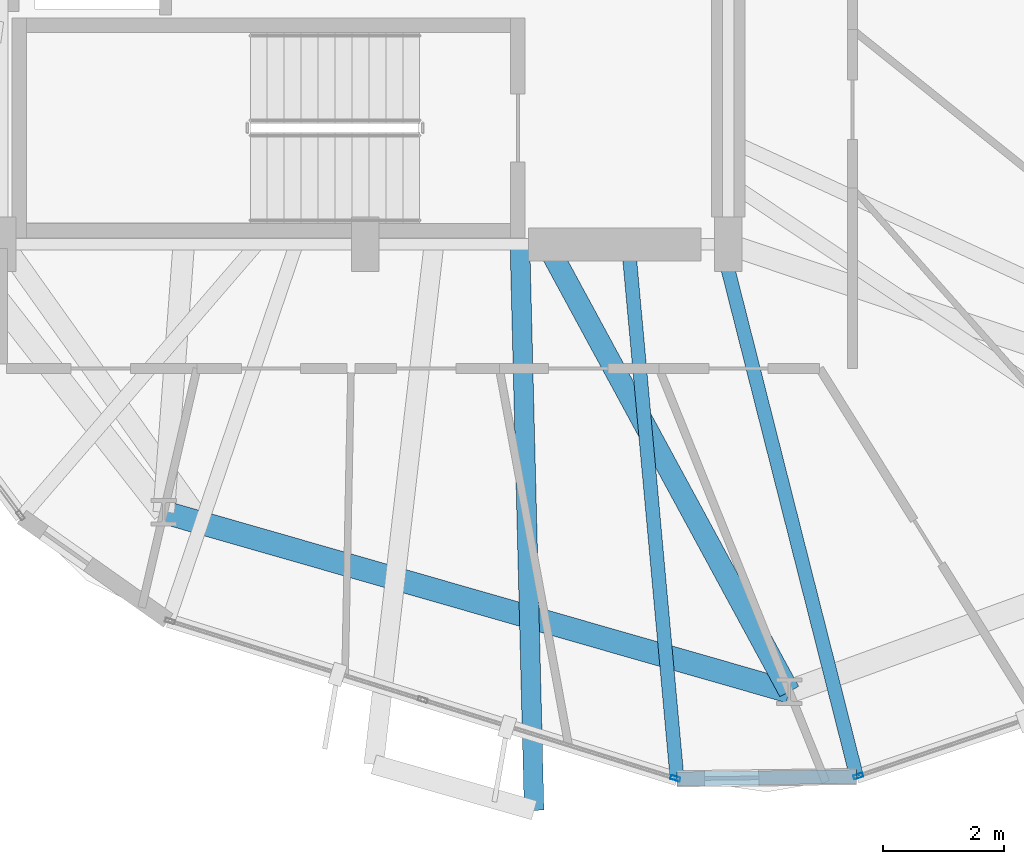
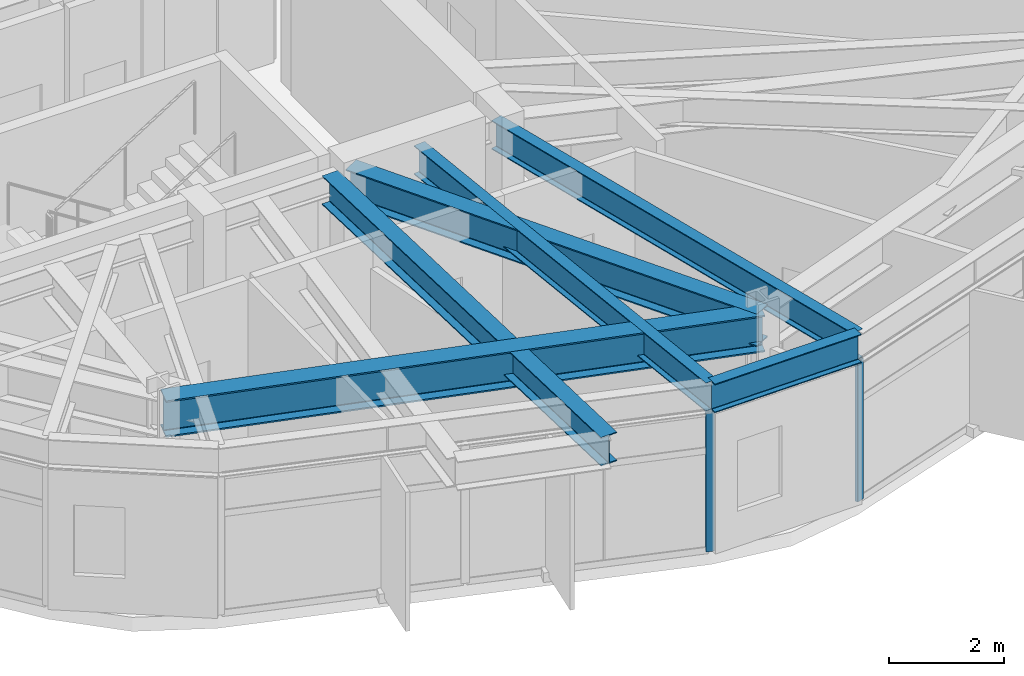
# One storey, part 6 of 25: 6 beams, 2 members, 2 elements without a shape of their own.
"""IFC4 building model written with IfcOpenShell, lengths in metres."""

from ifc_helpers import new_model, si_unit, direction, frame, origin, origin_2d, place, context, subcontext, project, spatial, hollow_rectangle, i_section, extrude, material, layer, layer_set, material_profile, profile_set, type_object, element, aggregate, save


model = new_model("IFC4")

# Units and contexts
model_context = context("Model", 3, precision=1e-05, world=origin(), true_north=direction((0.0, 1.0)))
body_context = subcontext(model_context, "Body", "Model", "MODEL_VIEW")
ifc_project = project(units=[si_unit("LENGTHUNIT", "METRE"), si_unit("AREAUNIT", "SQUARE_METRE"), si_unit("VOLUMEUNIT", "CUBIC_METRE"), si_unit("PLANEANGLEUNIT", "RADIAN"), si_unit("MASSUNIT", "GRAM", prefix="KILO")], contexts=[model_context])

# Site, building, storey
site_placement = place(None, origin())
site = spatial("IfcSite", under=ifc_project, at=site_placement, CompositionType="ELEMENT")
building_placement = place(site_placement, origin())
building = spatial("IfcBuilding", under=site, at=building_placement, Name="Soratama Intermodal Tower", CompositionType="ELEMENT")
storey_placement = place(building_placement, frame((0.0, 0.0, 106.89990234375)))
storey = spatial("IfcBuildingStorey", under=building, at=storey_placement, Name="L25", CompositionType="ELEMENT", Elevation=106.89990234375)

# Beams
ifc_material_1 = material(Name="Structural steel ASTM A992 Grade 50", Category="steel")
ifc_material_profile_1 = material_profile(ifc_material_1, i_section(OverallWidth=0.324951171875, OverallDepth=0.615966796875, WebThickness=0.013916015625, FlangeThickness=0.021484375, FilletRadius=0.013916015625, at=origin_2d()), Name="W24X117")
ifc_profile_set_1 = profile_set([ifc_material_profile_1], Name="Structural steel ASTM A992 Grade 50")
beam_type_1 = type_object("IfcBeamType", Name="BM-CANT-W24X117", PredefinedType="BEAM", material=ifc_profile_set_1)
beam_1_placement = place(storey_placement, frame((41.156982421875, 14.9599609375, 3.2919921875), z_axis=(0.025003978121, -0.999687351665, 0.0), x_axis=(0.999687351665, 0.025003978121, 0.0)))
element("IfcBeam", 1, at=beam_1_placement, inside=storey, type_object=beam_type_1, Name="BM-L25-CANT-3-2", PredefinedType="BEAM", context=body_context, shape_type="SweptSolid", body=[
    extrude(i_section(OverallWidth=0.324951171875, OverallDepth=0.615966796875, WebThickness=0.013916015625, FlangeThickness=0.021484375, FilletRadius=0.013916015625, at=origin_2d()), origin(), (0.0, 0.0, 1.0), 9.31494140625),
])
ifc_material_2 = material(Name="Structural steel ASTM A992 Grade 50", Category="steel")
ifc_material_profile_2 = material_profile(ifc_material_2, i_section(OverallWidth=0.35498046875, OverallDepth=0.695068359375, WebThickness=0.015380859375, FlangeThickness=0.02490234375, FilletRadius=0.01611328125, at=origin_2d()), Name="W27X146")
ifc_profile_set_2 = profile_set([ifc_material_profile_2], Name="Structural steel ASTM A992 Grade 50")
beam_type_2 = type_object("IfcBeamType", Name="BM-RING-W27X146", PredefinedType="BEAM", material=ifc_profile_set_2)
beam_2_placement = place(storey_placement, frame((41.60009765625, 15.0, 3.252685546875), z_axis=(0.476697610532, -0.879067339919, 0.0), x_axis=(0.879067339919, 0.476697610532, 0.0)))
element("IfcBeam", 2, at=beam_2_placement, inside=storey, type_object=beam_type_2, Name="BM-L25-RAD-08", PredefinedType="BEAM", context=body_context, shape_type="SweptSolid", body=[
    extrude(i_section(OverallWidth=0.35498046875, OverallDepth=0.695068359375, WebThickness=0.015380859375, FlangeThickness=0.02490234375, FilletRadius=0.01611328125, at=origin_2d()), origin(), (0.0, 0.0, 1.0), 8.405517578125),
])
ifc_material_3 = material(Name="Structural steel ASTM A992 Grade 50", Category="steel")
ifc_material_profile_3 = material_profile(ifc_material_3, i_section(OverallWidth=0.382080078125, OverallDepth=0.779052734375, WebThickness=0.01806640625, FlangeThickness=0.030029296875, FilletRadius=0.01806640625, at=origin_2d()), Name="W30X191")
ifc_profile_set_3 = profile_set([ifc_material_profile_3], Name="Structural steel ASTM A992 Grade 50")
beam_type_3 = type_object("IfcBeamType", Name="BM-RING-W30X191", PredefinedType="BEAM", material=ifc_profile_set_3)
beam_3_placement = place(storey_placement, frame((35.27001953125, 10.574951171875, 3.210693359375), z_axis=(0.961266505995, -0.275620580604, 0.0), x_axis=(0.275620580604, 0.961266505995, 0.0)))
element("IfcBeam", 3, at=beam_3_placement, inside=storey, type_object=beam_type_3, Name="BM-L25-RING-07", PredefinedType="BEAM", context=body_context, shape_type="SweptSolid", body=[
    extrude(i_section(OverallWidth=0.382080078125, OverallDepth=0.779052734375, WebThickness=0.01806640625, FlangeThickness=0.030029296875, FilletRadius=0.01806640625, at=origin_2d()), origin(), (0.0, 0.0, 1.0), 10.75341796875),
])
ifc_material_4 = material(Name="Structural steel ASTM A992 Grade 50", Category="steel")
ifc_material_profile_4 = material_profile(ifc_material_4, i_section(OverallWidth=0.22900390625, OverallDepth=0.612060546875, WebThickness=0.011962890625, FlangeThickness=0.01953125, FilletRadius=0.012939453125, at=origin_2d()), Name="W24X84")
ifc_profile_set_4 = profile_set([ifc_material_profile_4], Name="Structural steel ASTM A992 Grade 50")
beam_type_4 = type_object("IfcBeamType", Name="BM-SPN-W24X84", PredefinedType="SPANDREL", material=ifc_profile_set_4)
beam_4_placement = place(storey_placement, frame((43.7529296875, 6.16796875, 3.294189453125), z_axis=(0.99991762441, 0.012835279306, 0.0), x_axis=(-0.012835279306, 0.99991762441, 0.0)))
element("IfcBeam", 4, at=beam_4_placement, inside=storey, type_object=beam_type_4, Name="BS-L25-CRN07", PredefinedType="SPANDREL", context=body_context, shape_type="SweptSolid", body=[
    extrude(i_section(OverallWidth=0.22900390625, OverallDepth=0.612060546875, WebThickness=0.011962890625, FlangeThickness=0.01953125, FilletRadius=0.012939453125, at=origin_2d()), origin(), (0.0, 0.0, 1.0), 2.96728515625),
])
ifc_material_5 = material(Name="Structural steel ASTM A992 Grade 50", Category="steel")
ifc_material_profile_5 = material_profile(ifc_material_5, i_section(OverallWidth=0.22900390625, OverallDepth=0.612060546875, WebThickness=0.011962890625, FlangeThickness=0.01953125, FilletRadius=0.012939453125, at=origin_2d()), Name="W24X84")
ifc_profile_set_5 = profile_set([ifc_material_profile_5], Name="Structural steel ASTM A992 Grade 50")
beam_type_5 = type_object("IfcBeamType", Name="BM-TIE-W24X84", PredefinedType="BEAM", material=ifc_profile_set_5)
beam_5_placement = place(storey_placement, frame((42.950927734375, 14.9599609375, 3.294189453125), z_axis=(0.090842425888, -0.99586527887, 0.0), x_axis=(0.99586527887, 0.090842425888, 0.0)))
element("IfcBeam", 5, at=beam_5_placement, inside=storey, type_object=beam_type_5, Name="BM-L25-TIE1-07", PredefinedType="BEAM", context=body_context, shape_type="SweptSolid", body=[
    extrude(i_section(OverallWidth=0.22900390625, OverallDepth=0.612060546875, WebThickness=0.011962890625, FlangeThickness=0.01953125, FilletRadius=0.012939453125, at=origin_2d()), origin(), (0.0, 0.0, 1.0), 8.82861328125),
])
beam_6_placement = place(storey_placement, frame((44.5, 14.9609375, 3.294189453125), z_axis=(0.24579066986, -0.969322932056, 0.0), x_axis=(0.969322932056, 0.24579066986, 0.0)))
element("IfcBeam", 6, at=beam_6_placement, inside=storey, type_object=beam_type_5, Name="BM-L25-TIE0-08", PredefinedType="BEAM", context=body_context, shape_type="SweptSolid", body=[
    extrude(i_section(OverallWidth=0.22900390625, OverallDepth=0.612060546875, WebThickness=0.011962890625, FlangeThickness=0.01953125, FilletRadius=0.012939453125, at=origin_2d()), origin(), (0.0, 0.0, 1.0), 9.031982421875),
])

# Curtain wall, member
ifc_material_6 = material(Name="Double-glazed aluminium curtain wall", Category="aluminium")
ifc_layer = layer(ifc_material_6, 0.159912109375)
ifc_layer_set = layer_set([ifc_layer], Name="Double-glazed aluminium curtain wall")
curtain_wall_type = type_object("IfcCurtainWallType", Name="CW-SYS-3", PredefinedType="NOTDEFINED", material=ifc_layer_set)
curtain_wall_1_placement = place(storey_placement, origin())
curtain_wall_1 = element("IfcCurtainWall", 7, at=curtain_wall_1_placement, inside=storey, type_object=curtain_wall_type, Name="L25 Faceted Curtain Wall F07", PredefinedType="NOTDEFINED")
ifc_material_7 = material(Name="Anodised aluminium AA 6063-T6", Category="aluminium")
ifc_material_profile_6 = material_profile(ifc_material_7, hollow_rectangle(XDim=0.070068359375, YDim=0.159912109375, WallThickness=0.0048828125, InnerFilletRadius=0.0048828125, OuterFilletRadius=0.010009765625, at=origin_2d()), Name="CWM160X70X5")
ifc_profile_set_6 = profile_set([ifc_material_profile_6], Name="Anodised aluminium AA 6063-T6")
member_type = type_object("IfcMemberType", Name="MT-CWM-3", PredefinedType="MULLION", material=ifc_profile_set_6)
member_1_placement = place(storey_placement, frame((43.724609375, 6.177490234375, 0.0), z_axis=(0.0, 0.0, 1.0), x_axis=(0.297039174407, 0.954865293572, 0.0)))
member_1 = element("IfcMember", 8, at=member_1_placement, type_object=member_type, Name="CW-3 mullion 3", PredefinedType="MULLION", context=body_context, shape_type="SweptSolid", body=[
    extrude(hollow_rectangle(XDim=0.070068359375, YDim=0.159912109375, WallThickness=0.0048828125, InnerFilletRadius=0.0048828125, OuterFilletRadius=0.010009765625, at=origin_2d()), origin(), (0.0, 0.0, 1.0), 2.97900390625),
])
aggregate(curtain_wall_1, [member_1])

curtain_wall_2_placement = place(storey_placement, origin())
curtain_wall_2 = element("IfcCurtainWall", 9, at=curtain_wall_2_placement, inside=storey, type_object=curtain_wall_type, Name="L25 Faceted Curtain Wall F08", PredefinedType="NOTDEFINED")
member_2_placement = place(storey_placement, frame((46.748046875, 6.21533203125, 0.0), z_axis=(0.0, 0.0, 1.0), x_axis=(-0.320945371109, 0.94709770814, 0.0)))
member_2 = element("IfcMember", 10, at=member_2_placement, type_object=member_type, Name="CW-3 mullion 1", PredefinedType="MULLION", context=body_context, shape_type="SweptSolid", body=[
    extrude(hollow_rectangle(XDim=0.070068359375, YDim=0.159912109375, WallThickness=0.0048828125, InnerFilletRadius=0.0048828125, OuterFilletRadius=0.010009765625, at=origin_2d()), origin(), (0.0, 0.0, 1.0), 2.97900390625),
])
aggregate(curtain_wall_2, [member_2])

save(model, "model.ifc")
